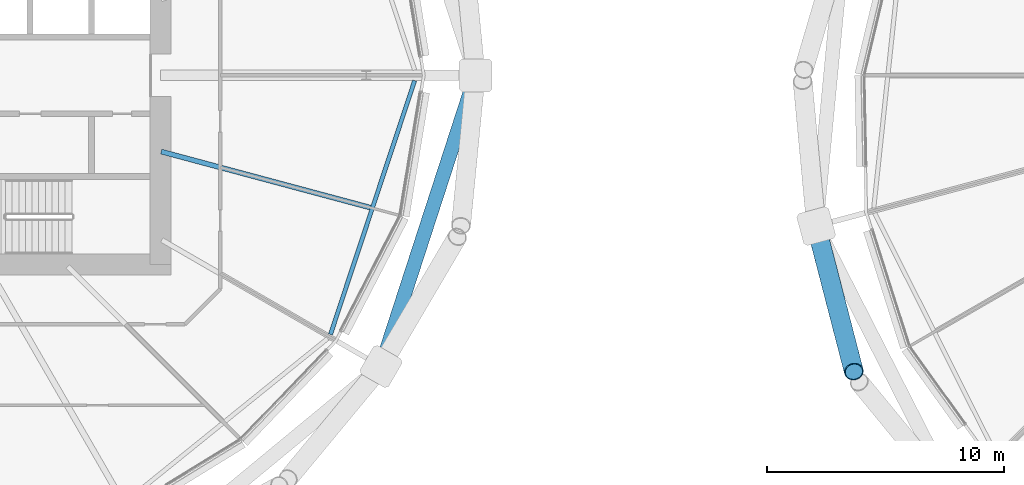
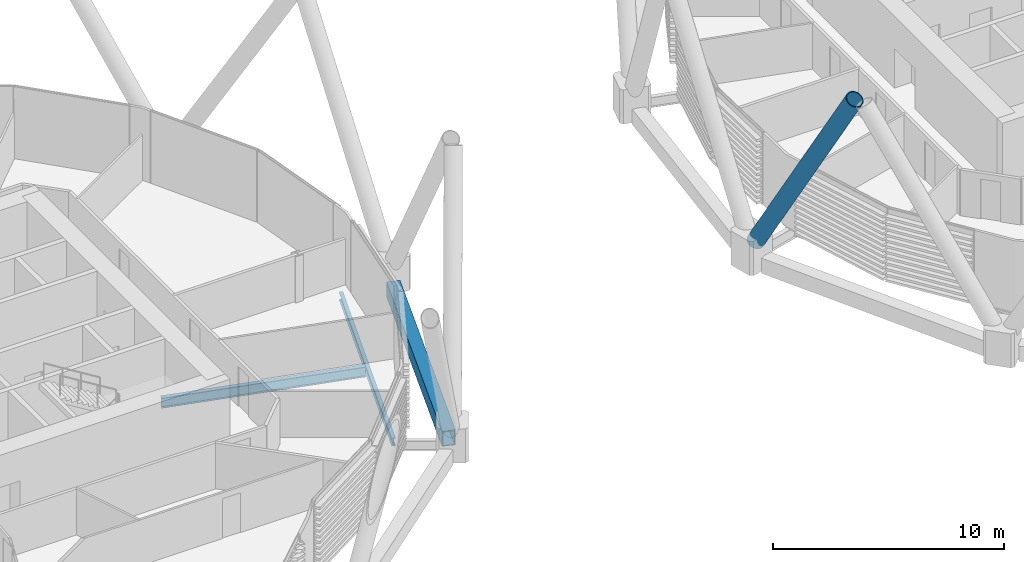
# One storey, part 8 of 40: 3 beams, 1 member.
"""IFC4 building model written with IfcOpenShell, lengths in metres."""

from ifc_helpers import new_model, si_unit, direction, frame, origin, origin_2d, place, context, subcontext, project, spatial, hollow_rectangle, hollow_circle, i_section, extrude, material, material_profile, profile_set, type_object, element, save


model = new_model("IFC4")

# Units and contexts
model_context = context("Model", 3, precision=1e-05, world=origin(), true_north=direction((0.0, 1.0)))
body_context = subcontext(model_context, "Body", "Model", "MODEL_VIEW")
ifc_project = project(units=[si_unit("LENGTHUNIT", "METRE"), si_unit("AREAUNIT", "SQUARE_METRE"), si_unit("VOLUMEUNIT", "CUBIC_METRE"), si_unit("PLANEANGLEUNIT", "RADIAN"), si_unit("MASSUNIT", "GRAM", prefix="KILO")], contexts=[model_context])

# Site, building, storey
site_placement = place(None, origin())
site = spatial("IfcSite", under=ifc_project, at=site_placement, CompositionType="ELEMENT")
building_placement = place(site_placement, origin())
building = spatial("IfcBuilding", under=site, at=building_placement, Name="Rimbun Link Towers", CompositionType="ELEMENT")
storey_placement = place(building_placement, frame((0.0, 0.0, 52.800048828125)))
storey = spatial("IfcBuildingStorey", under=building, at=storey_placement, Name="L12", CompositionType="ELEMENT", Elevation=52.800048828125)

# Member
ifc_material_1 = material(Name="Steel S460NH", Category="steel")
ifc_material_profile_1 = material_profile(ifc_material_1, hollow_circle(Radius=0.406494140625, WallThickness=0.0400390625, at=origin_2d()), Name="Diagrid diagonal CHS 813x40")
ifc_profile_set_1 = profile_set([ifc_material_profile_1], Name="Steel S460NH")
member_type = type_object("IfcMemberType", Name="Diagrid diagonal CHS 813x40", PredefinedType="BRACE", material=ifc_profile_set_1)
member_placement = place(storey_placement, frame((8.03125, -6.615234375, 0.432373046875), z_axis=(0.125769537283, -0.485698138162, 0.865031411035), x_axis=(0.968070552414, 0.250677892024, 0.0)))
element("IfcMember", 1, at=member_placement, inside=storey, type_object=member_type, Name="Diagrid diagonal T2 L12-L15 10b", PredefinedType="BRACE", context=body_context, shape_type="SweptSolid", body=[
    extrude(hollow_circle(Radius=0.406494140625, WallThickness=0.0400390625, at=origin_2d()), origin(), (0.0, 0.0, 1.0), 12.178955078125),
])

# Beams
ifc_material_2 = material(Name="Steel S355J2", Category="steel")
ifc_material_profile_2 = material_profile(ifc_material_2, hollow_rectangle(XDim=0.60009765625, YDim=0.800048828125, WallThickness=0.0400390625, at=origin_2d()), Name="Exoskeleton ring girder BOX 600x800x40")
ifc_profile_set_2 = profile_set([ifc_material_profile_2], Name="Steel S355J2")
beam_type_1 = type_object("IfcBeamType", Name="Exoskeleton ring girder BOX 600x800x40", PredefinedType="BEAM", material=ifc_profile_set_2)
beam_1_placement = place(storey_placement, frame((-10.211669921875, -11.64453125, -0.56005859375), z_axis=(0.308953600287, 0.951077111947, 0.0), x_axis=(-0.951077111947, 0.308953600287, 0.0)))
element("IfcBeam", 2, at=beam_1_placement, inside=storey, type_object=beam_type_1, Name="Exoskeleton ring girder L12 09", PredefinedType="BEAM", context=body_context, shape_type="SweptSolid", body=[
    extrude(hollow_rectangle(XDim=0.60009765625, YDim=0.800048828125, WallThickness=0.0400390625, at=origin_2d()), origin(), (0.0, 0.0, 1.0), 11.54345703125),
])
ifc_material_3 = material(Name="Steel S355J2", Category="steel")
ifc_material_profile_3 = material_profile(ifc_material_3, i_section(OverallWidth=0.177978515625, OverallDepth=0.406494140625, WebThickness=0.0078125, FlangeThickness=0.0126953125, at=origin_2d()), Name="UB 406x178x60")
ifc_profile_set_3 = profile_set([ifc_material_profile_3], Name="Steel S355J2")
beam_type_2 = type_object("IfcBeamType", Name="UB 406x178x60", PredefinedType="BEAM", material=ifc_profile_set_3)
beam_2_placement = place(storey_placement, frame((-12.5654296875, -10.9541015625, -0.36328125), z_axis=(0.314795339648, 0.949159572536, 0.0), x_axis=(-0.949159572536, 0.314795339648, 0.0)))
element("IfcBeam", 3, at=beam_2_placement, inside=storey, type_object=beam_type_2, Name="Edge beam T1 L12 22-00", PredefinedType="BEAM", context=body_context, shape_type="SweptSolid", body=[
    extrude(i_section(OverallWidth=0.177978515625, OverallDepth=0.406494140625, WebThickness=0.0078125, FlangeThickness=0.0126953125, at=origin_2d()), origin(), (0.0, 0.0, 1.0), 11.302978515625),
])
ifc_material_4 = material(Name="Steel S355J2", Category="steel")
ifc_material_profile_4 = material_profile(ifc_material_4, i_section(OverallWidth=0.209228515625, OverallDepth=0.533203125, WebThickness=0.010009765625, FlangeThickness=0.015625, at=origin_2d()), Name="UB 533x210x92")
ifc_profile_set_4 = profile_set([ifc_material_profile_4], Name="Steel S355J2")
beam_type_3 = type_object("IfcBeamType", Name="UB 533x210x92", PredefinedType="BEAM", material=ifc_profile_set_4)
beam_3_placement = place(storey_placement, frame((-19.721923828125, -3.222900390625, -0.4267578125), z_axis=(0.96592209333, -0.258832976293, 0.0), x_axis=(0.258832976293, 0.96592209333, 0.0)))
element("IfcBeam", 4, at=beam_3_placement, inside=storey, type_object=beam_type_3, Name="Radial beam T1 L12 23", PredefinedType="BEAM", context=body_context, shape_type="SweptSolid", body=[
    extrude(i_section(OverallWidth=0.209228515625, OverallDepth=0.533203125, WebThickness=0.010009765625, FlangeThickness=0.015625, at=origin_2d()), origin(), (0.0, 0.0, 1.0), 9.152099609375),
])

save(model, "model.ifc")
